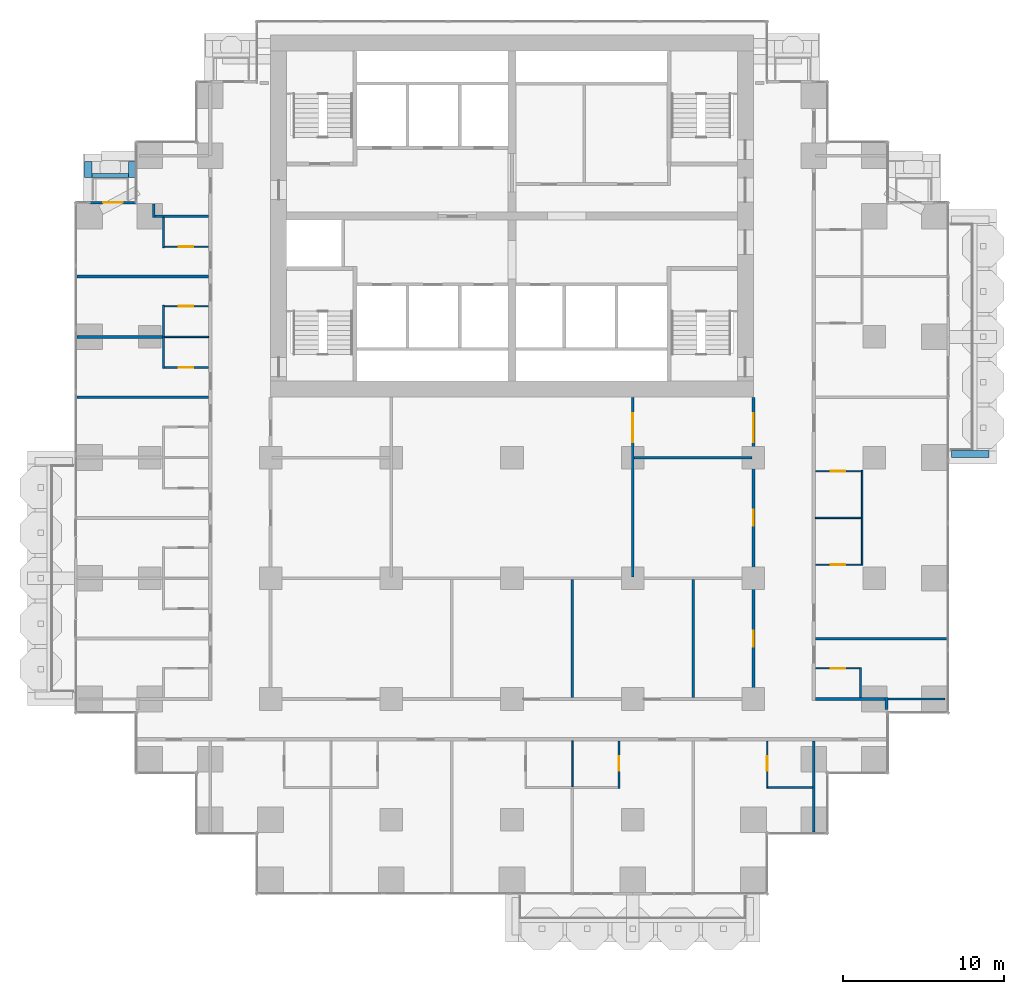
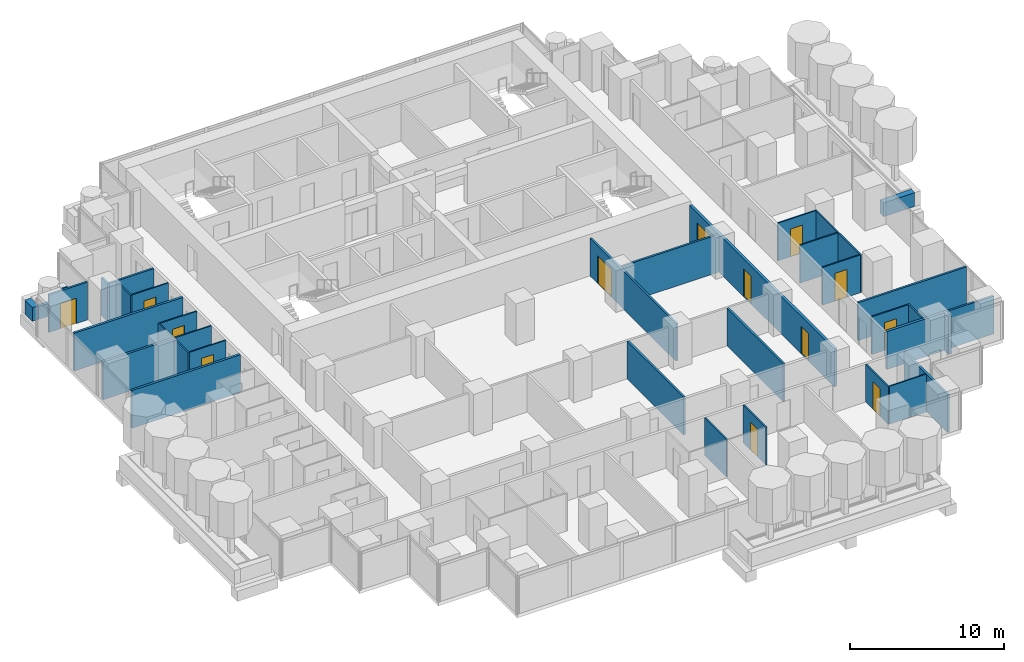
# One storey, part 12 of 18: 36 walls, 13 doors, 13 openings.
"""IFC4 building model written with IfcOpenShell, lengths in metres."""

from ifc_helpers import new_model, si_unit, direction, frame, frame_2d, origin, place, context, subcontext, project, spatial, rectangle, extrude, material, layer, layer_set, type_object, element, fill, save


model = new_model("IFC4")

# Units and contexts
model_context = context("Model", 3, precision=1e-05, world=origin(), true_north=direction((0.0, 1.0)))
body_context = subcontext(model_context, "Body", "Model", "MODEL_VIEW")
ifc_project = project(units=[si_unit("LENGTHUNIT", "METRE"), si_unit("AREAUNIT", "SQUARE_METRE"), si_unit("VOLUMEUNIT", "CUBIC_METRE"), si_unit("PLANEANGLEUNIT", "RADIAN"), si_unit("MASSUNIT", "GRAM", prefix="KILO")], contexts=[model_context])

# Site, building, storey
site_placement = place(None, origin())
site = spatial("IfcSite", under=ifc_project, at=site_placement, CompositionType="ELEMENT")
building_placement = place(site_placement, origin())
building = spatial("IfcBuilding", under=site, at=building_placement, Name="Pilkhan Gate Tower", CompositionType="ELEMENT")
storey_placement = place(building_placement, frame((0.0, 0.0, 52.699951171875)))
storey = spatial("IfcBuildingStorey", under=building, at=storey_placement, Name="L10", CompositionType="ELEMENT", Elevation=52.699951171875)

# Walls
ifc_material_1 = material(Name="Dense blockwork", Category="masonry")
ifc_layer_1 = layer(ifc_material_1, 0.175048828125)
ifc_layer_set_1 = layer_set([ifc_layer_1], Name="Acoustic party wall PW175")
wall_type_1 = type_object("IfcWallType", Name="Acoustic party wall PW175", PredefinedType="PARTITIONING", material=ifc_layer_set_1)
wall_1_placement = place(storey_placement, frame((47.985107421875, 71.25, 0.0), z_axis=(0.0, 0.0, 1.0), x_axis=(1.0, 0.0, 0.0)))
element("IfcWall", 1, at=wall_1_placement, inside=storey, type_object=wall_type_1, Name="Partition L10", PredefinedType="PARTITIONING", context=body_context, shape_type="SweptSolid", body=[
    extrude(rectangle(XDim=8.164794921875, YDim=0.175048828125, at=frame_2d((4.08251953125, 0.0))), origin(), (0.0, 0.0, 1.0), 3.0),
])
wall_2_placement = place(storey_placement, frame((47.985107421875, 75.0, 0.0), z_axis=(0.0, 0.0, 1.0), x_axis=(1.0, 0.0, 0.0)))
element("IfcWall", 2, at=wall_2_placement, inside=storey, type_object=wall_type_1, Name="Partition L10", PredefinedType="PARTITIONING", context=body_context, shape_type="SweptSolid", body=[
    extrude(rectangle(XDim=5.31494140625, YDim=0.175048828125, at=frame_2d((2.657470703125, 0.0))), origin(), (0.0, 0.0, 1.0), 3.0),
])
wall_3_placement = place(storey_placement, frame((47.985107421875, 78.75, 0.0), z_axis=(0.0, 0.0, 1.0), x_axis=(1.0, 0.0, 0.0)))
element("IfcWall", 3, at=wall_3_placement, inside=storey, type_object=wall_type_1, Name="Partition L10", PredefinedType="PARTITIONING", context=body_context, shape_type="SweptSolid", body=[
    extrude(rectangle(XDim=8.164794921875, YDim=0.175048828125, at=frame_2d((4.08251953125, 0.0))), origin(), (0.0, 0.0, 1.0), 3.0),
])
ifc_material_2 = material(Name="Concrete C40/50", Category="concrete")
ifc_layer_2 = layer(ifc_material_2, 0.25)
ifc_layer_set_2 = layer_set([ifc_layer_2], Name="Balcony planter BP250")
wall_type_2 = type_object("IfcWallType", Name="Balcony planter BP250", PredefinedType="USERDEFINED", material=ifc_layer_set_2)
wall_4_placement = place(storey_placement, frame((48.89990234375, 85.02490234375, 0.0), z_axis=(0.0, 0.0, 1.0), x_axis=(1.0, 0.0, 0.0)))
element("IfcWall", 4, at=wall_4_placement, inside=storey, type_object=wall_type_2, Name="Balcony planter L10 N", ObjectType="BALCONY PLANTER", PredefinedType="USERDEFINED", context=body_context, shape_type="SweptSolid", body=[
    extrude(rectangle(XDim=2.280029296875, YDim=0.25, at=frame_2d((1.14013671875, 0.0))), origin(), (0.0, 0.0, 1.0), 1.0),
])
ifc_material_3 = material(Name="Board-marked Concrete C40/50", Category="concrete")
ifc_layer_3 = layer(ifc_material_3, 0.449951171875)
ifc_layer_set_3 = layer_set([ifc_layer_3], Name="Balcony planter lip BL450")
wall_type_3 = type_object("IfcWallType", Name="Balcony planter lip BL450", PredefinedType="USERDEFINED", material=ifc_layer_set_3)
wall_5_placement = place(storey_placement, frame((102.320068359375, 67.72509765625, 0.0), z_axis=(0.0, 0.0, 1.0), x_axis=(1.0, 0.0, 0.0)))
element("IfcWall", 5, at=wall_5_placement, inside=storey, type_object=wall_type_3, Name="Balcony planter L10 E", ObjectType="BALCONY PLANTER", PredefinedType="USERDEFINED", context=body_context, shape_type="SweptSolid", body=[
    extrude(rectangle(XDim=2.329833984375, YDim=0.449951171875, at=frame_2d((1.1650390625, 0.0))), origin(), (0.0, 0.0, 1.0), 1.10009765625),
])
for number, where, z_axis, x_axis, name in (
    (6, (48.675048828125, 84.89990234375, 0.0), (0.0, 0.0, 1.0), (0.0, 1.0, 0.0), "Balcony planter L10 N"),
    (7, (51.405029296875, 84.89990234375, 0.0), (0.0, 0.0, 1.0), (0.0, 1.0, 0.0), "Balcony planter L10 N"),
):
    element("IfcWall", number, at=place(storey_placement, frame(where, z_axis=z_axis, x_axis=x_axis)), inside=storey, type_object=wall_type_3, Name=name, ObjectType="BALCONY PLANTER", PredefinedType="USERDEFINED", context=body_context, shape_type="SweptSolid", body=[
        extrude(rectangle(XDim=1.0, YDim=0.449951171875, at=frame_2d((0.5, 0.0))), origin(), (0.0, 0.0, 1.0), 1.10009765625),
    ])
ifc_layer_4 = layer(ifc_material_1, 0.199951171875)
ifc_layer_set_4 = layer_set([ifc_layer_4], Name="Corridor wall FW200")
wall_type_4 = type_object("IfcWallType", Name="Corridor wall FW200", PredefinedType="PARTITIONING", material=ifc_layer_set_4)
wall_6_placement = place(storey_placement, frame((93.85009765625, 52.5, 0.0), z_axis=(0.0, 0.0, 1.0), x_axis=(1.0, 0.0, 0.0)))
element("IfcWall", 8, at=wall_6_placement, inside=storey, type_object=wall_type_4, Name="Partition L10", PredefinedType="PARTITIONING", context=body_context, shape_type="SweptSolid", body=[
    extrude(rectangle(XDim=4.31494140625, YDim=0.199951171875, at=frame_2d((2.157470703125, 0.0))), origin(), (0.0, 0.0, 1.0), 3.0),
])

# Wall, openings, doors
wall_7_placement = place(storey_placement, frame((90.0, 52.39990234375, 0.0), z_axis=(0.0, 0.0, 1.0), x_axis=(0.0, 1.0, 0.0)))
wall_7 = element("IfcWall", 9, at=wall_7_placement, inside=storey, type_object=wall_type_4, Name="Partition L10", PredefinedType="PARTITIONING", context=body_context, shape_type="SweptSolid", body=[
    extrude(rectangle(XDim=18.840087890625, YDim=0.199951171875, at=frame_2d((9.419921875, 0.0))), origin(), (0.0, 0.0, 1.0), 3.0),
])
opening_1_placement = place(wall_7_placement, frame((3.35009765625, 0.0, 0.0)))
opening_1 = element("IfcOpeningElement", 10, at=opening_1_placement, cuts=wall_7, Name="Opening L10-54", PredefinedType="OPENING", context=body_context, shape_type="SweptSolid", body=[
    extrude(rectangle(XDim=1.0, YDim=2.199951171875, at=frame_2d((0.5, 1.10009765625))), frame((0.0, 0.10986328125, 0.0), z_axis=(0.0, -1.0, 0.0), x_axis=(1.0, 0.0, 0.0)), (0.0, 0.0, 1.0), 0.219970703125),
])
opening_2_placement = place(wall_7_placement, frame((10.85009765625, 0.0, 0.0)))
opening_2 = element("IfcOpeningElement", 11, at=opening_2_placement, cuts=wall_7, Name="Opening L10-58", PredefinedType="OPENING", context=body_context, shape_type="SweptSolid", body=[
    extrude(rectangle(XDim=1.0, YDim=2.199951171875, at=frame_2d((0.5, 1.10009765625))), frame((0.0, 0.10986328125, 0.0), z_axis=(0.0, -1.0, 0.0), x_axis=(1.0, 0.0, 0.0)), (0.0, 0.0, 1.0), 0.219970703125),
])
opening_3_placement = place(wall_7_placement, frame((16.050048828125, 0.0, 0.0)))
opening_3 = element("IfcOpeningElement", 12, at=opening_3_placement, cuts=wall_7, Name="Opening L10-59", PredefinedType="OPENING", context=body_context, shape_type="SweptSolid", body=[
    extrude(rectangle(XDim=1.800048828125, YDim=2.199951171875, at=frame_2d((0.89990234375, 1.10009765625))), frame((0.0, 0.10986328125, 0.0), z_axis=(0.0, -1.0, 0.0), x_axis=(1.0, 0.0, 0.0)), (0.0, 0.0, 1.0), 0.219970703125),
])
ifc_material_4 = material(Name="Timber glazed double door, 30 minute fire resisting", Category="wood")
door_type_1 = type_object("IfcDoorType", Name="Double door D04 1800x2200", OperationType="DOUBLE_DOOR_SINGLE_SWING", PredefinedType="DOOR", material=ifc_material_4)
door_1_placement = place(opening_3_placement, origin())
door_1 = element("IfcDoor", 13, at=door_1_placement, inside=storey, type_object=door_type_1, Name="Double door", OperationType="DOUBLE_DOOR_SINGLE_SWING", OverallHeight=2.199951171875, OverallWidth=1.800048828125, PredefinedType="DOOR", context=body_context, shape_type="SweptSolid", body=[
    extrude(rectangle(XDim=1.800048828125, YDim=2.199951171875, at=frame_2d((0.89990234375, 1.10009765625))), frame((0.0, 0.02490234375, 0.0), z_axis=(0.0, -1.0, 0.0), x_axis=(1.0, 0.0, 0.0)), (0.0, 0.0, 1.0), 0.050048828125),
])
fill(opening_3, door_1)
ifc_material_5 = material(Name="Timber flush door, 30 minute fire resisting", Category="wood")
door_type_2 = type_object("IfcDoorType", Name="Room door D03 1000x2200", OperationType="SINGLE_SWING_LEFT", PredefinedType="DOOR", material=ifc_material_5)
door_2_placement = place(opening_1_placement, origin())
door_2 = element("IfcDoor", 14, at=door_2_placement, inside=storey, type_object=door_type_2, Name="Room door", OperationType="SINGLE_SWING_RIGHT", OverallHeight=2.199951171875, OverallWidth=1.0, PredefinedType="DOOR", context=body_context, shape_type="SweptSolid", body=[
    extrude(rectangle(XDim=1.0, YDim=2.199951171875, at=frame_2d((0.5, 1.10009765625))), frame((0.0, 0.02490234375, 0.0), z_axis=(0.0, -1.0, 0.0), x_axis=(1.0, 0.0, 0.0)), (0.0, 0.0, 1.0), 0.050048828125),
])
fill(opening_1, door_2)
door_3_placement = place(opening_2_placement, origin())
door_3 = element("IfcDoor", 15, at=door_3_placement, inside=storey, type_object=door_type_2, Name="Room door", OperationType="SINGLE_SWING_RIGHT", OverallHeight=2.199951171875, OverallWidth=1.0, PredefinedType="DOOR", context=body_context, shape_type="SweptSolid", body=[
    extrude(rectangle(XDim=1.0, YDim=2.199951171875, at=frame_2d((0.5, 1.10009765625))), frame((0.0, 0.02490234375, 0.0), z_axis=(0.0, -1.0, 0.0), x_axis=(1.0, 0.0, 0.0)), (0.0, 0.0, 1.0), 0.050048828125),
])
fill(opening_2, door_3)

# Wall
wall_8_placement = place(storey_placement, frame((98.264892578125, 51.85498046875, 0.0), z_axis=(0.0, 0.0, 1.0), x_axis=(0.0, 1.0, 0.0)))
element("IfcWall", 16, at=wall_8_placement, inside=storey, type_object=wall_type_4, Name="Partition L10", PredefinedType="PARTITIONING", context=body_context, shape_type="SweptSolid", body=[
    extrude(rectangle(XDim=0.7451171875, YDim=0.199951171875, at=frame_2d((0.37255859375, 0.0))), origin(), (0.0, 0.0, 1.0), 3.0),
])

# Wall, opening, door
ifc_material_6 = material(Name="Pale anodised aluminium, clear laminated glazing", Category="aluminium")
ifc_layer_5 = layer(ifc_material_6, 0.14990234375)
ifc_layer_set_5 = layer_set([ifc_layer_5], Name="Facade infill wall IW150")
wall_type_5 = type_object("IfcWallType", Name="Facade infill wall IW150", PredefinedType="SOLIDWALL", material=ifc_layer_set_5)
wall_9_placement = place(storey_placement, frame((48.75, 83.344970703125, 0.0), z_axis=(0.0, 0.0, 1.0), x_axis=(1.0, 0.0, 0.0)))
wall_9 = element("IfcWall", 17, at=wall_9_placement, inside=storey, type_object=wall_type_5, Name="Infill wall L10 N", PredefinedType="SOLIDWALL", context=body_context, shape_type="SweptSolid", body=[
    extrude(rectangle(XDim=2.905029296875, YDim=0.14990234375, at=frame_2d((1.45263671875, 0.0))), origin(), (0.0, 0.0, 1.0), 3.0),
])
opening_4_placement = place(wall_9_placement, frame((0.8525390625, 0.0, 0.0)))
opening_4 = element("IfcOpeningElement", 18, at=opening_4_placement, cuts=wall_9, Name="Opening D1L", PredefinedType="OPENING", context=body_context, shape_type="SweptSolid", body=[
    extrude(rectangle(XDim=1.199951171875, YDim=2.0, at=frame_2d((0.60009765625, 1.0))), frame((0.0, 0.0849609375, 0.0), z_axis=(0.0, -1.0, 0.0), x_axis=(1.0, 0.0, 0.0)), (0.0, 0.0, 1.0), 0.169921875),
])
ifc_material_7 = material(Name="Pale anodised aluminium, clear glazing", Category="aluminium")
door_type_3 = type_object("IfcDoorType", Name="Balcony door D1L 1200x2000", OperationType="SINGLE_SWING_LEFT", PredefinedType="DOOR", material=ifc_material_7)
door_4_placement = place(opening_4_placement, origin())
door_4 = element("IfcDoor", 19, at=door_4_placement, inside=storey, type_object=door_type_3, Name="Balcony door L10", OperationType="SINGLE_SWING_LEFT", OverallHeight=2.0, OverallWidth=1.199951171875, PredefinedType="DOOR", context=body_context, shape_type="SweptSolid", body=[
    extrude(rectangle(XDim=1.199951171875, YDim=2.0, at=frame_2d((0.60009765625, 1.0))), frame((0.0, 0.02490234375, 0.0), z_axis=(0.0, -1.0, 0.0), x_axis=(1.0, 0.0, 0.0)), (0.0, 0.0, 1.0), 0.050048828125),
])
fill(opening_4, door_4)

# Walls
ifc_material_8 = material(Name="Blockwork partition, plastered both sides", Category="masonry")
ifc_layer_6 = layer(ifc_material_8, 0.14990234375)
ifc_layer_set_6 = layer_set([ifc_layer_6], Name="Partition PW150")
wall_type_6 = type_object("IfcWallType", Name="Partition PW150", PredefinedType="PARTITIONING", material=ifc_layer_set_6)
wall_10_placement = place(storey_placement, frame((98.364990234375, 52.5, 0.0), z_axis=(0.0, 0.0, 1.0), x_axis=(1.0, 0.0, 0.0)))
element("IfcWall", 20, at=wall_10_placement, inside=storey, type_object=wall_type_6, Name="Partition L10", PredefinedType="PARTITIONING", context=body_context, shape_type="SweptSolid", body=[
    extrude(rectangle(XDim=3.530029296875, YDim=0.14990234375, at=frame_2d((1.76513671875, 0.0))), origin(), (0.0, 0.0, 1.0), 3.0),
])
wall_11_placement = place(storey_placement, frame((93.85009765625, 56.25, 0.0), z_axis=(0.0, 0.0, 1.0), x_axis=(1.0, 0.0, 0.0)))
element("IfcWall", 21, at=wall_11_placement, inside=storey, type_object=wall_type_6, Name="Partition L10", PredefinedType="PARTITIONING", context=body_context, shape_type="SweptSolid", body=[
    extrude(rectangle(XDim=8.164794921875, YDim=0.14990234375, at=frame_2d((4.08251953125, 0.0))), origin(), (0.0, 0.0, 1.0), 3.0),
])
wall_12_placement = place(storey_placement, frame((82.574951171875, 67.5, 0.0), z_axis=(0.0, 0.0, 1.0), x_axis=(1.0, 0.0, 0.0)))
element("IfcWall", 22, at=wall_12_placement, inside=storey, type_object=wall_type_6, Name="Partition L10", PredefinedType="PARTITIONING", context=body_context, shape_type="SweptSolid", body=[
    extrude(rectangle(XDim=7.324951171875, YDim=0.14990234375, at=frame_2d((3.66259765625, 0.0))), origin(), (0.0, 0.0, 1.0), 3.0),
])
wall_13_placement = place(storey_placement, frame((52.81005859375, 82.5, 0.0), z_axis=(0.0, 0.0, 1.0), x_axis=(1.0, 0.0, 0.0)))
element("IfcWall", 23, at=wall_13_placement, inside=storey, type_object=wall_type_6, Name="Partition L10", PredefinedType="PARTITIONING", context=body_context, shape_type="SweptSolid", body=[
    extrude(rectangle(XDim=3.33984375, YDim=0.14990234375, at=frame_2d((1.669921875, 0.0))), origin(), (0.0, 0.0, 1.0), 3.0),
])
wall_14_placement = place(storey_placement, frame((52.735107421875, 82.425048828125, 0.0), z_axis=(0.0, 0.0, 1.0), x_axis=(0.0, 1.0, 0.0)))
element("IfcWall", 24, at=wall_14_placement, inside=storey, type_object=wall_type_6, Name="Partition L10", PredefinedType="PARTITIONING", context=body_context, shape_type="SweptSolid", body=[
    extrude(rectangle(XDim=0.83984375, YDim=0.14990234375, at=frame_2d((0.419921875, 0.0))), origin(), (0.0, 0.0, 1.0), 3.0),
])
wall_15_placement = place(storey_placement, frame((78.75, 52.60009765625, 0.0), z_axis=(0.0, 0.0, 1.0), x_axis=(0.0, 1.0, 0.0)))
element("IfcWall", 25, at=wall_15_placement, inside=storey, type_object=wall_type_6, Name="Partition L10", PredefinedType="PARTITIONING", context=body_context, shape_type="SweptSolid", body=[
    extrude(rectangle(XDim=7.324951171875, YDim=0.14990234375, at=frame_2d((3.66259765625, 0.0))), origin(), (0.0, 0.0, 1.0), 3.0),
])

# Wall, opening, door
wall_16_placement = place(storey_placement, frame((82.5, 60.074951171875, 0.0), z_axis=(0.0, 0.0, 1.0), x_axis=(0.0, 1.0, 0.0)))
wall_16 = element("IfcWall", 26, at=wall_16_placement, inside=storey, type_object=wall_type_6, Name="Partition L10", PredefinedType="PARTITIONING", context=body_context, shape_type="SweptSolid", body=[
    extrude(rectangle(XDim=11.1650390625, YDim=0.14990234375, at=frame_2d((5.58251953125, 0.0))), origin(), (0.0, 0.0, 1.0), 3.0),
])
opening_5_placement = place(wall_16_placement, frame((8.375, 0.0, 0.0)))
opening_5 = element("IfcOpeningElement", 27, at=opening_5_placement, cuts=wall_16, Name="Opening L10-57", PredefinedType="OPENING", context=body_context, shape_type="SweptSolid", body=[
    extrude(rectangle(XDim=1.800048828125, YDim=2.199951171875, at=frame_2d((0.89990234375, 1.10009765625))), frame((0.0, 0.0849609375, 0.0), z_axis=(0.0, -1.0, 0.0), x_axis=(1.0, 0.0, 0.0)), (0.0, 0.0, 1.0), 0.169921875),
])
door_5_placement = place(opening_5_placement, origin())
door_5 = element("IfcDoor", 28, at=door_5_placement, inside=storey, type_object=door_type_1, Name="Double door", OperationType="DOUBLE_DOOR_SINGLE_SWING", OverallHeight=2.199951171875, OverallWidth=1.800048828125, PredefinedType="DOOR", context=body_context, shape_type="SweptSolid", body=[
    extrude(rectangle(XDim=1.800048828125, YDim=2.199951171875, at=frame_2d((0.89990234375, 1.10009765625))), frame((0.0, 0.02490234375, 0.0), z_axis=(0.0, -1.0, 0.0), x_axis=(1.0, 0.0, 0.0)), (0.0, 0.0, 1.0), 0.050048828125),
])
fill(opening_5, door_5)

# Walls
wall_17_placement = place(storey_placement, frame((86.25, 52.60009765625, 0.0), z_axis=(0.0, 0.0, 1.0), x_axis=(0.0, 1.0, 0.0)))
element("IfcWall", 29, at=wall_17_placement, inside=storey, type_object=wall_type_6, Name="Partition L10", PredefinedType="PARTITIONING", context=body_context, shape_type="SweptSolid", body=[
    extrude(rectangle(XDim=7.324951171875, YDim=0.14990234375, at=frame_2d((3.66259765625, 0.0))), origin(), (0.0, 0.0, 1.0), 3.0),
])
wall_18_placement = place(storey_placement, frame((93.75, 44.235107421875, 0.0), z_axis=(0.0, 0.0, 1.0), x_axis=(0.0, 1.0, 0.0)))
element("IfcWall", 30, at=wall_18_placement, inside=storey, type_object=wall_type_6, Name="Partition L10", PredefinedType="PARTITIONING", context=body_context, shape_type="SweptSolid", body=[
    extrude(rectangle(XDim=5.664794921875, YDim=0.14990234375, at=frame_2d((2.83251953125, 0.0))), origin(), (0.0, 0.0, 1.0), 3.0),
])
ifc_material_9 = material(Name="Moisture resistant board, tiled")
ifc_layer_7 = layer(ifc_material_9, 0.10009765625)
ifc_layer_set_7 = layer_set([ifc_layer_7], Name="Wet wall PW100")
wall_type_7 = type_object("IfcWallType", Name="Wet wall PW100", PredefinedType="PARTITIONING", material=ifc_layer_set_7)
wall_19_placement = place(storey_placement, frame((90.89990234375, 47.0, 0.0), z_axis=(0.0, 0.0, 1.0), x_axis=(1.0, 0.0, 0.0)))
element("IfcWall", 31, at=wall_19_placement, inside=storey, type_object=wall_type_7, Name="Partition L10", PredefinedType="PARTITIONING", context=body_context, shape_type="SweptSolid", body=[
    extrude(rectangle(XDim=2.775146484375, YDim=0.10009765625, at=frame_2d((1.3876953125, 0.0))), origin(), (0.0, 0.0, 1.0), 3.0),
])

# Wall, opening, door
wall_20_placement = place(storey_placement, frame((93.85009765625, 54.39990234375, 0.0), z_axis=(0.0, 0.0, 1.0), x_axis=(1.0, 0.0, 0.0)))
wall_20 = element("IfcWall", 32, at=wall_20_placement, inside=storey, type_object=wall_type_7, Name="Partition L10", PredefinedType="PARTITIONING", context=body_context, shape_type="SweptSolid", body=[
    extrude(rectangle(XDim=2.75, YDim=0.10009765625, at=frame_2d((1.375, 0.0))), origin(), (0.0, 0.0, 1.0), 3.0),
])
opening_6_placement = place(wall_20_placement, frame((0.949951171875, 0.0, 0.0)))
opening_6 = element("IfcOpeningElement", 33, at=opening_6_placement, cuts=wall_20, Name="Opening L10-33", PredefinedType="OPENING", context=body_context, shape_type="SweptSolid", body=[
    extrude(rectangle(XDim=0.89990234375, YDim=2.199951171875, at=frame_2d((0.449951171875, 1.10009765625))), frame((0.0, 0.06005859375, 0.0), z_axis=(0.0, -1.0, 0.0), x_axis=(1.0, 0.0, 0.0)), (0.0, 0.0, 1.0), 0.1201171875),
])
ifc_material_10 = material(Name="Timber flush door", Category="wood")
door_type_4 = type_object("IfcDoorType", Name="Bathroom door D02 900x2200", OperationType="SINGLE_SWING_RIGHT", PredefinedType="DOOR", material=ifc_material_10)
door_6_placement = place(opening_6_placement, origin())
door_6 = element("IfcDoor", 34, at=door_6_placement, inside=storey, type_object=door_type_4, Name="Bathroom door", OperationType="SINGLE_SWING_RIGHT", OverallHeight=2.199951171875, OverallWidth=0.89990234375, PredefinedType="DOOR", context=body_context, shape_type="SweptSolid", body=[
    extrude(rectangle(XDim=0.89990234375, YDim=2.199951171875, at=frame_2d((0.449951171875, 1.10009765625))), frame((0.0, 0.02490234375, 0.0), z_axis=(0.0, -1.0, 0.0), x_axis=(1.0, 0.0, 0.0)), (0.0, 0.0, 1.0), 0.050048828125),
])
fill(opening_6, door_6)

wall_21_placement = place(storey_placement, frame((93.85009765625, 60.85009765625, 0.0), z_axis=(0.0, 0.0, 1.0), x_axis=(1.0, 0.0, 0.0)))
wall_21 = element("IfcWall", 35, at=wall_21_placement, inside=storey, type_object=wall_type_7, Name="Partition L10", PredefinedType="PARTITIONING", context=body_context, shape_type="SweptSolid", body=[
    extrude(rectangle(XDim=2.849853515625, YDim=0.10009765625, at=frame_2d((1.4248046875, 0.0))), origin(), (0.0, 0.0, 1.0), 3.0),
])
opening_7_placement = place(wall_21_placement, frame((0.949951171875, 0.0, 0.0)))
opening_7 = element("IfcOpeningElement", 36, at=opening_7_placement, cuts=wall_21, Name="Opening L10-35", PredefinedType="OPENING", context=body_context, shape_type="SweptSolid", body=[
    extrude(rectangle(XDim=0.89990234375, YDim=2.199951171875, at=frame_2d((0.449951171875, 1.10009765625))), frame((0.0, 0.06005859375, 0.0), z_axis=(0.0, -1.0, 0.0), x_axis=(1.0, 0.0, 0.0)), (0.0, 0.0, 1.0), 0.1201171875),
])
door_7_placement = place(opening_7_placement, origin())
door_7 = element("IfcDoor", 37, at=door_7_placement, inside=storey, type_object=door_type_4, Name="Bathroom door", OperationType="SINGLE_SWING_RIGHT", OverallHeight=2.199951171875, OverallWidth=0.89990234375, PredefinedType="DOOR", context=body_context, shape_type="SweptSolid", body=[
    extrude(rectangle(XDim=0.89990234375, YDim=2.199951171875, at=frame_2d((0.449951171875, 1.10009765625))), frame((0.0, 0.02490234375, 0.0), z_axis=(0.0, -1.0, 0.0), x_axis=(1.0, 0.0, 0.0)), (0.0, 0.0, 1.0), 0.050048828125),
])
fill(opening_7, door_7)

# Wall
wall_22_placement = place(storey_placement, frame((93.85009765625, 63.75, 0.0), z_axis=(0.0, 0.0, 1.0), x_axis=(1.0, 0.0, 0.0)))
element("IfcWall", 38, at=wall_22_placement, inside=storey, type_object=wall_type_7, Name="Partition L10", PredefinedType="PARTITIONING", context=body_context, shape_type="SweptSolid", body=[
    extrude(rectangle(XDim=2.849853515625, YDim=0.10009765625, at=frame_2d((1.4248046875, 0.0))), origin(), (0.0, 0.0, 1.0), 3.0),
])

# Wall, opening, door
wall_23_placement = place(storey_placement, frame((93.85009765625, 66.64990234375, 0.0), z_axis=(0.0, 0.0, 1.0), x_axis=(1.0, 0.0, 0.0)))
wall_23 = element("IfcWall", 39, at=wall_23_placement, inside=storey, type_object=wall_type_7, Name="Partition L10", PredefinedType="PARTITIONING", context=body_context, shape_type="SweptSolid", body=[
    extrude(rectangle(XDim=2.849853515625, YDim=0.10009765625, at=frame_2d((1.4248046875, 0.0))), origin(), (0.0, 0.0, 1.0), 3.0),
])
opening_8_placement = place(wall_23_placement, frame((0.949951171875, 0.0, 0.0)))
opening_8 = element("IfcOpeningElement", 40, at=opening_8_placement, cuts=wall_23, Name="Opening L10-37", PredefinedType="OPENING", context=body_context, shape_type="SweptSolid", body=[
    extrude(rectangle(XDim=0.89990234375, YDim=2.199951171875, at=frame_2d((0.449951171875, 1.10009765625))), frame((0.0, 0.06005859375, 0.0), z_axis=(0.0, -1.0, 0.0), x_axis=(1.0, 0.0, 0.0)), (0.0, 0.0, 1.0), 0.1201171875),
])
door_8_placement = place(opening_8_placement, origin())
door_8 = element("IfcDoor", 41, at=door_8_placement, inside=storey, type_object=door_type_4, Name="Bathroom door", OperationType="SINGLE_SWING_RIGHT", OverallHeight=2.199951171875, OverallWidth=0.89990234375, PredefinedType="DOOR", context=body_context, shape_type="SweptSolid", body=[
    extrude(rectangle(XDim=0.89990234375, YDim=2.199951171875, at=frame_2d((0.449951171875, 1.10009765625))), frame((0.0, 0.02490234375, 0.0), z_axis=(0.0, -1.0, 0.0), x_axis=(1.0, 0.0, 0.0)), (0.0, 0.0, 1.0), 0.050048828125),
])
fill(opening_8, door_8)

wall_24_placement = place(storey_placement, frame((53.39990234375, 73.10009765625, 0.0), z_axis=(0.0, 0.0, 1.0), x_axis=(1.0, 0.0, 0.0)))
wall_24 = element("IfcWall", 42, at=wall_24_placement, inside=storey, type_object=wall_type_7, Name="Partition L10", PredefinedType="PARTITIONING", context=body_context, shape_type="SweptSolid", body=[
    extrude(rectangle(XDim=2.75, YDim=0.10009765625, at=frame_2d((1.375, 0.0))), origin(), (0.0, 0.0, 1.0), 3.0),
])
opening_9_placement = place(wall_24_placement, frame((0.89990234375, 0.0, 0.0)))
opening_9 = element("IfcOpeningElement", 43, at=opening_9_placement, cuts=wall_24, Name="Opening L10-27", PredefinedType="OPENING", context=body_context, shape_type="SweptSolid", body=[
    extrude(rectangle(XDim=0.89990234375, YDim=2.199951171875, at=frame_2d((0.449951171875, 1.10009765625))), frame((0.0, 0.06005859375, 0.0), z_axis=(0.0, -1.0, 0.0), x_axis=(1.0, 0.0, 0.0)), (0.0, 0.0, 1.0), 0.1201171875),
])
door_9_placement = place(opening_9_placement, origin())
door_9 = element("IfcDoor", 44, at=door_9_placement, inside=storey, type_object=door_type_4, Name="Bathroom door", OperationType="SINGLE_SWING_RIGHT", OverallHeight=2.199951171875, OverallWidth=0.89990234375, PredefinedType="DOOR", context=body_context, shape_type="SweptSolid", body=[
    extrude(rectangle(XDim=0.89990234375, YDim=2.199951171875, at=frame_2d((0.449951171875, 1.10009765625))), frame((0.0, 0.02490234375, 0.0), z_axis=(0.0, -1.0, 0.0), x_axis=(1.0, 0.0, 0.0)), (0.0, 0.0, 1.0), 0.050048828125),
])
fill(opening_9, door_9)

# Wall
wall_25_placement = place(storey_placement, frame((53.39990234375, 75.0, 0.0), z_axis=(0.0, 0.0, 1.0), x_axis=(1.0, 0.0, 0.0)))
element("IfcWall", 45, at=wall_25_placement, inside=storey, type_object=wall_type_7, Name="Partition L10", PredefinedType="PARTITIONING", context=body_context, shape_type="SweptSolid", body=[
    extrude(rectangle(XDim=2.75, YDim=0.10009765625, at=frame_2d((1.375, 0.0))), origin(), (0.0, 0.0, 1.0), 3.0),
])

# Wall, opening, door
wall_26_placement = place(storey_placement, frame((53.39990234375, 76.89990234375, 0.0), z_axis=(0.0, 0.0, 1.0), x_axis=(1.0, 0.0, 0.0)))
wall_26 = element("IfcWall", 46, at=wall_26_placement, inside=storey, type_object=wall_type_7, Name="Partition L10", PredefinedType="PARTITIONING", context=body_context, shape_type="SweptSolid", body=[
    extrude(rectangle(XDim=2.75, YDim=0.10009765625, at=frame_2d((1.375, 0.0))), origin(), (0.0, 0.0, 1.0), 3.0),
])
opening_10_placement = place(wall_26_placement, frame((0.89990234375, 0.0, 0.0)))
opening_10 = element("IfcOpeningElement", 47, at=opening_10_placement, cuts=wall_26, Name="Opening L10-29", PredefinedType="OPENING", context=body_context, shape_type="SweptSolid", body=[
    extrude(rectangle(XDim=0.89990234375, YDim=2.199951171875, at=frame_2d((0.449951171875, 1.10009765625))), frame((0.0, 0.06005859375, 0.0), z_axis=(0.0, -1.0, 0.0), x_axis=(1.0, 0.0, 0.0)), (0.0, 0.0, 1.0), 0.1201171875),
])
door_10_placement = place(opening_10_placement, origin())
door_10 = element("IfcDoor", 48, at=door_10_placement, inside=storey, type_object=door_type_4, Name="Bathroom door", OperationType="SINGLE_SWING_RIGHT", OverallHeight=2.199951171875, OverallWidth=0.89990234375, PredefinedType="DOOR", context=body_context, shape_type="SweptSolid", body=[
    extrude(rectangle(XDim=0.89990234375, YDim=2.199951171875, at=frame_2d((0.449951171875, 1.10009765625))), frame((0.0, 0.02490234375, 0.0), z_axis=(0.0, -1.0, 0.0), x_axis=(1.0, 0.0, 0.0)), (0.0, 0.0, 1.0), 0.050048828125),
])
fill(opening_10, door_10)

wall_27_placement = place(storey_placement, frame((53.39990234375, 80.60009765625, 0.0), z_axis=(0.0, 0.0, 1.0), x_axis=(1.0, 0.0, 0.0)))
wall_27 = element("IfcWall", 49, at=wall_27_placement, inside=storey, type_object=wall_type_7, Name="Partition L10", PredefinedType="PARTITIONING", context=body_context, shape_type="SweptSolid", body=[
    extrude(rectangle(XDim=2.75, YDim=0.10009765625, at=frame_2d((1.375, 0.0))), origin(), (0.0, 0.0, 1.0), 3.0),
])
opening_11_placement = place(wall_27_placement, frame((0.89990234375, 0.0, 0.0)))
opening_11 = element("IfcOpeningElement", 50, at=opening_11_placement, cuts=wall_27, Name="Opening L10-31", PredefinedType="OPENING", context=body_context, shape_type="SweptSolid", body=[
    extrude(rectangle(XDim=0.89990234375, YDim=2.199951171875, at=frame_2d((0.449951171875, 1.10009765625))), frame((0.0, 0.06005859375, 0.0), z_axis=(0.0, -1.0, 0.0), x_axis=(1.0, 0.0, 0.0)), (0.0, 0.0, 1.0), 0.1201171875),
])
door_11_placement = place(opening_11_placement, origin())
door_11 = element("IfcDoor", 51, at=door_11_placement, inside=storey, type_object=door_type_4, Name="Bathroom door", OperationType="SINGLE_SWING_RIGHT", OverallHeight=2.199951171875, OverallWidth=0.89990234375, PredefinedType="DOOR", context=body_context, shape_type="SweptSolid", body=[
    extrude(rectangle(XDim=0.89990234375, YDim=2.199951171875, at=frame_2d((0.449951171875, 1.10009765625))), frame((0.0, 0.02490234375, 0.0), z_axis=(0.0, -1.0, 0.0), x_axis=(1.0, 0.0, 0.0)), (0.0, 0.0, 1.0), 0.050048828125),
])
fill(opening_11, door_11)

# Walls
wall_28_placement = place(storey_placement, frame((53.35009765625, 73.050048828125, 0.0), z_axis=(0.0, 0.0, 1.0), x_axis=(0.0, 1.0, 0.0)))
element("IfcWall", 52, at=wall_28_placement, inside=storey, type_object=wall_type_7, Name="Partition L10", PredefinedType="PARTITIONING", context=body_context, shape_type="SweptSolid", body=[
    extrude(rectangle(XDim=3.89990234375, YDim=0.10009765625, at=frame_2d((1.949951171875, 0.0))), origin(), (0.0, 0.0, 1.0), 3.0),
])
wall_29_placement = place(storey_placement, frame((53.35009765625, 80.550048828125, 0.0), z_axis=(0.0, 0.0, 1.0), x_axis=(0.0, 1.0, 0.0)))
element("IfcWall", 53, at=wall_29_placement, inside=storey, type_object=wall_type_7, Name="Partition L10", PredefinedType="PARTITIONING", context=body_context, shape_type="SweptSolid", body=[
    extrude(rectangle(XDim=1.875, YDim=0.10009765625, at=frame_2d((0.9375, 0.0))), origin(), (0.0, 0.0, 1.0), 3.0),
])
wall_30_placement = place(storey_placement, frame((78.75, 47.050048828125, 0.0), z_axis=(0.0, 0.0, 1.0), x_axis=(0.0, 1.0, 0.0)))
element("IfcWall", 54, at=wall_30_placement, inside=storey, type_object=wall_type_7, Name="Partition L10", PredefinedType="PARTITIONING", context=body_context, shape_type="SweptSolid", body=[
    extrude(rectangle(XDim=2.849853515625, YDim=0.10009765625, at=frame_2d((1.4248046875, 0.0))), origin(), (0.0, 0.0, 1.0), 3.0),
])

# Wall, opening, door
wall_31_placement = place(storey_placement, frame((81.64990234375, 46.949951171875, 0.0), z_axis=(0.0, 0.0, 1.0), x_axis=(0.0, 1.0, 0.0)))
wall_31 = element("IfcWall", 55, at=wall_31_placement, inside=storey, type_object=wall_type_7, Name="Partition L10", PredefinedType="PARTITIONING", context=body_context, shape_type="SweptSolid", body=[
    extrude(rectangle(XDim=2.949951171875, YDim=0.10009765625, at=frame_2d((1.47509765625, 0.0))), origin(), (0.0, 0.0, 1.0), 3.0),
])
opening_12_placement = place(wall_31_placement, frame((1.10009765625, 0.0, 0.0)))
opening_12 = element("IfcOpeningElement", 56, at=opening_12_placement, cuts=wall_31, Name="Opening L10-13", PredefinedType="OPENING", context=body_context, shape_type="SweptSolid", body=[
    extrude(rectangle(XDim=0.89990234375, YDim=2.199951171875, at=frame_2d((0.449951171875, 1.10009765625))), frame((0.0, 0.06005859375, 0.0), z_axis=(0.0, -1.0, 0.0), x_axis=(1.0, 0.0, 0.0)), (0.0, 0.0, 1.0), 0.1201171875),
])
door_12_placement = place(opening_12_placement, origin())
door_12 = element("IfcDoor", 57, at=door_12_placement, inside=storey, type_object=door_type_4, Name="Bathroom door", OperationType="SINGLE_SWING_RIGHT", OverallHeight=2.199951171875, OverallWidth=0.89990234375, PredefinedType="DOOR", context=body_context, shape_type="SweptSolid", body=[
    extrude(rectangle(XDim=0.89990234375, YDim=2.199951171875, at=frame_2d((0.449951171875, 1.10009765625))), frame((0.0, 0.02490234375, 0.0), z_axis=(0.0, -1.0, 0.0), x_axis=(1.0, 0.0, 0.0)), (0.0, 0.0, 1.0), 0.050048828125),
])
fill(opening_12, door_12)

wall_32_placement = place(storey_placement, frame((90.85009765625, 46.949951171875, 0.0), z_axis=(0.0, 0.0, 1.0), x_axis=(0.0, 1.0, 0.0)))
wall_32 = element("IfcWall", 58, at=wall_32_placement, inside=storey, type_object=wall_type_7, Name="Partition L10", PredefinedType="PARTITIONING", context=body_context, shape_type="SweptSolid", body=[
    extrude(rectangle(XDim=2.949951171875, YDim=0.10009765625, at=frame_2d((1.47509765625, 0.0))), origin(), (0.0, 0.0, 1.0), 3.0),
])
opening_13_placement = place(wall_32_placement, frame((1.10009765625, 0.0, 0.0)))
opening_13 = element("IfcOpeningElement", 59, at=opening_13_placement, cuts=wall_32, Name="Opening L10-15", PredefinedType="OPENING", context=body_context, shape_type="SweptSolid", body=[
    extrude(rectangle(XDim=0.89990234375, YDim=2.199951171875, at=frame_2d((0.449951171875, 1.10009765625))), frame((0.0, 0.06005859375, 0.0), z_axis=(0.0, -1.0, 0.0), x_axis=(1.0, 0.0, 0.0)), (0.0, 0.0, 1.0), 0.1201171875),
])
door_13_placement = place(opening_13_placement, origin())
door_13 = element("IfcDoor", 60, at=door_13_placement, inside=storey, type_object=door_type_4, Name="Bathroom door", OperationType="SINGLE_SWING_RIGHT", OverallHeight=2.199951171875, OverallWidth=0.89990234375, PredefinedType="DOOR", context=body_context, shape_type="SweptSolid", body=[
    extrude(rectangle(XDim=0.89990234375, YDim=2.199951171875, at=frame_2d((0.449951171875, 1.10009765625))), frame((0.0, 0.02490234375, 0.0), z_axis=(0.0, -1.0, 0.0), x_axis=(1.0, 0.0, 0.0)), (0.0, 0.0, 1.0), 0.050048828125),
])
fill(opening_13, door_13)

# Walls
wall_33_placement = place(storey_placement, frame((96.64990234375, 52.60009765625, 0.0), z_axis=(0.0, 0.0, 1.0), x_axis=(0.0, 1.0, 0.0)))
element("IfcWall", 61, at=wall_33_placement, inside=storey, type_object=wall_type_7, Name="Partition L10", PredefinedType="PARTITIONING", context=body_context, shape_type="SweptSolid", body=[
    extrude(rectangle(XDim=1.849853515625, YDim=0.10009765625, at=frame_2d((0.9248046875, 0.0))), origin(), (0.0, 0.0, 1.0), 3.0),
])
wall_34_placement = place(storey_placement, frame((96.75, 60.800048828125, 0.0), z_axis=(0.0, 0.0, 1.0), x_axis=(0.0, 1.0, 0.0)))
element("IfcWall", 62, at=wall_34_placement, inside=storey, type_object=wall_type_7, Name="Partition L10", PredefinedType="PARTITIONING", context=body_context, shape_type="SweptSolid", body=[
    extrude(rectangle(XDim=5.89990234375, YDim=0.10009765625, at=frame_2d((2.949951171875, 0.0))), origin(), (0.0, 0.0, 1.0), 3.0),
])

save(model, "model.ifc")
